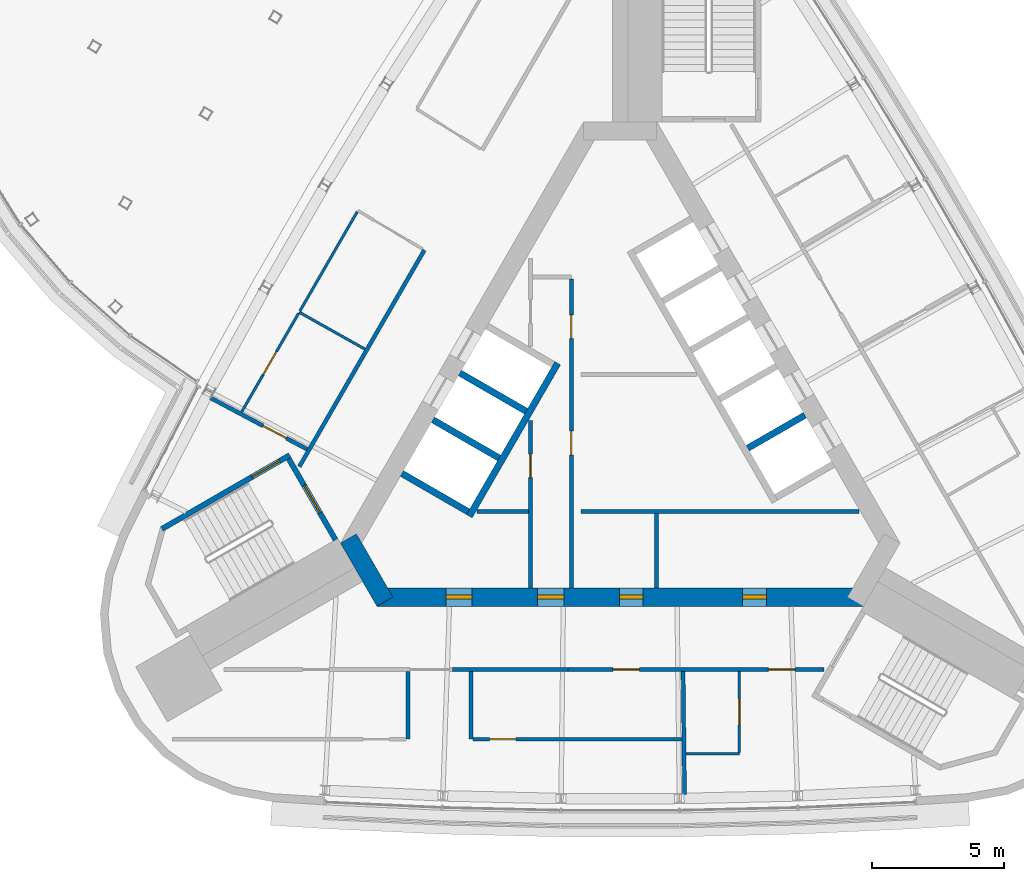
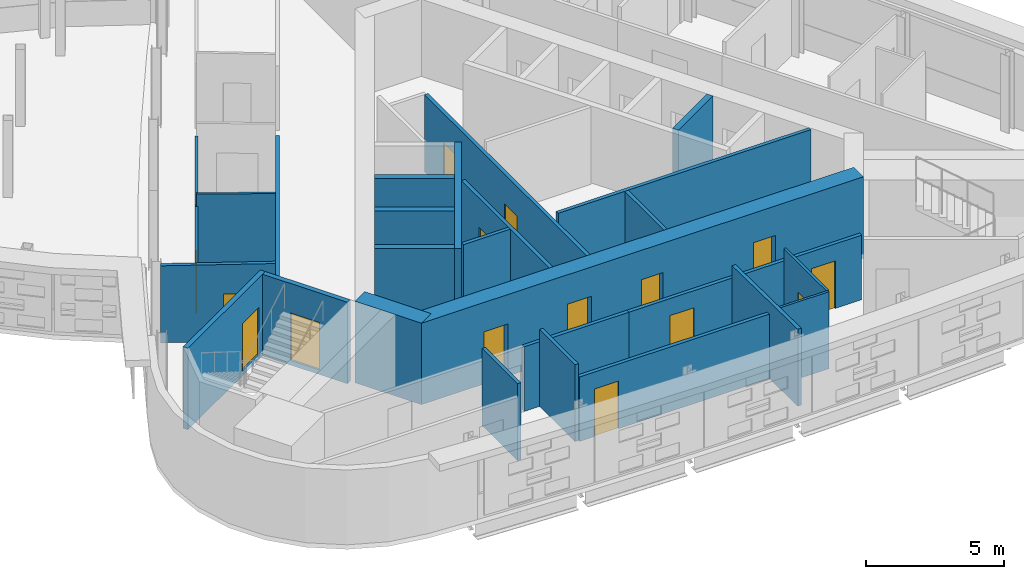
# One storey, part 9 of 13: 27 walls, 15 doors, 15 openings.
"""IFC4 building model written with IfcOpenShell, lengths in metres."""

from ifc_helpers import new_model, si_unit, direction, frame, frame_2d, origin, place, context, subcontext, project, spatial, rectangle, extrude, material, layer, layer_set, type_object, element, fill, save


model = new_model("IFC4")

# Units and contexts
model_context = context("Model", 3, precision=1e-05, world=origin(), true_north=direction((0.0, 1.0)))
body_context = subcontext(model_context, "Body", "Model", "MODEL_VIEW")
ifc_project = project(units=[si_unit("LENGTHUNIT", "METRE"), si_unit("AREAUNIT", "SQUARE_METRE"), si_unit("VOLUMEUNIT", "CUBIC_METRE"), si_unit("PLANEANGLEUNIT", "RADIAN"), si_unit("MASSUNIT", "GRAM", prefix="KILO")], contexts=[model_context])

# Site, building, storey
site_placement = place(None, origin())
site = spatial("IfcSite", under=ifc_project, at=site_placement, CompositionType="ELEMENT")
building_placement = place(site_placement, origin())
building = spatial("IfcBuilding", under=site, at=building_placement, Name="Noor Cloister Tower", CompositionType="ELEMENT")
storey_placement = place(building_placement, frame((0.0, 0.0, 263.39990234375)))
storey = spatial("IfcBuildingStorey", under=building, at=storey_placement, Name="L67", CompositionType="ELEMENT", Elevation=263.39990234375)

# Wall
ifc_material_1 = material(Name="Concrete C30/37", Category="concrete")
ifc_layer_1 = layer(ifc_material_1, 0.14990234375)
ifc_layer_set_1 = layer_set([ifc_layer_1], Name="Core partition 150 C30/37")
wall_type_1 = type_object("IfcWallType", Name="Core partition 150 C30/37", PredefinedType="PARTITIONING", material=ifc_layer_set_1)
wall_1_placement = place(storey_placement, frame((-5.430908203125, -3.328125, 0.0), z_axis=(0.0, 0.0, 1.0), x_axis=(1.0, 0.0, 0.0)))
element("IfcWall", 1, at=wall_1_placement, inside=storey, type_object=wall_type_1, Name="Core room partition L67 1", PredefinedType="PARTITIONING", context=body_context, shape_type="SweptSolid", body=[
    extrude(rectangle(XDim=1.9521484375, YDim=0.14990234375, at=frame_2d((0.97607421875, 0.0))), origin(), (0.0, 0.0, 1.0), 3.400146484375),
])

# Wall, opening, door
wall_2_placement = place(storey_placement, frame((-3.40380859375, 0.131103515625, 0.0), z_axis=(0.0, 0.0, 1.0), x_axis=(0.0, -1.0, 0.0)))
wall_2 = element("IfcWall", 2, at=wall_2_placement, inside=storey, type_object=wall_type_1, Name="Core room partition L67 2", PredefinedType="PARTITIONING", context=body_context, shape_type="SweptSolid", body=[
    extrude(rectangle(XDim=6.359375, YDim=0.14990234375, at=frame_2d((3.1796875, 0.0))), origin(), (0.0, 0.0, 1.0), 3.400146484375),
])
opening_1_placement = place(wall_2_placement, frame((1.280517578125, 0.0, 0.0)))
opening_1 = element("IfcOpeningElement", 3, at=opening_1_placement, cuts=wall_2, Name="Opening L67-905", PredefinedType="OPENING", context=body_context, shape_type="SweptSolid", body=[
    extrude(rectangle(XDim=0.89990234375, YDim=2.10009765625, at=frame_2d((0.449951171875, 1.050048828125))), frame((0.0, 0.0849609375, 0.0), z_axis=(0.0, -1.0, 0.0), x_axis=(1.0, 0.0, 0.0)), (0.0, 0.0, 1.0), 0.169921875),
])
ifc_material_2 = material(Name="Steel", Category="steel")
door_type_1 = type_object("IfcDoorType", Name="Core door 900 x 2100 FD120", OperationType="SINGLE_SWING_LEFT", PredefinedType="DOOR", material=ifc_material_2)
door_1_placement = place(opening_1_placement, origin())
door_1 = element("IfcDoor", 4, at=door_1_placement, inside=storey, type_object=door_type_1, Name="Core door 5 L67", OperationType="SINGLE_SWING_LEFT", OverallHeight=2.10009765625, OverallWidth=0.89990234375, PredefinedType="DOOR", context=body_context, shape_type="SweptSolid", body=[
    extrude(rectangle(XDim=0.89990234375, YDim=2.10009765625, at=frame_2d((0.449951171875, 1.050048828125))), frame((0.0, 0.02490234375, 0.0), z_axis=(0.0, -1.0, 0.0), x_axis=(1.0, 0.0, 0.0)), (0.0, 0.0, 1.0), 0.050048828125),
])
fill(opening_1, door_1)

# Wall, openings, doors
wall_3_placement = place(storey_placement, frame((-1.853759765625, 5.496826171875, 0.0), z_axis=(0.0, 0.0, 1.0), x_axis=(0.0, -1.0, 0.0)))
wall_3 = element("IfcWall", 5, at=wall_3_placement, inside=storey, type_object=wall_type_1, Name="Core room partition L67 5", PredefinedType="PARTITIONING", context=body_context, shape_type="SweptSolid", body=[
    extrude(rectangle(XDim=11.72509765625, YDim=0.14990234375, at=frame_2d((5.862548828125, 0.0))), origin(), (0.0, 0.0, 1.0), 3.400146484375),
])
opening_2_placement = place(wall_3_placement, frame((5.77490234375, 0.0, 0.0)))
opening_2 = element("IfcOpeningElement", 6, at=opening_2_placement, cuts=wall_3, Name="Opening L67-906", PredefinedType="OPENING", context=body_context, shape_type="SweptSolid", body=[
    extrude(rectangle(XDim=0.89990234375, YDim=2.10009765625, at=frame_2d((0.449951171875, 1.050048828125))), frame((0.0, 0.0849609375, 0.0), z_axis=(0.0, -1.0, 0.0), x_axis=(1.0, 0.0, 0.0)), (0.0, 0.0, 1.0), 0.169921875),
])
opening_3_placement = place(wall_3_placement, frame((1.363525390625, 0.0, 0.0)))
opening_3 = element("IfcOpeningElement", 7, at=opening_3_placement, cuts=wall_3, Name="Opening L67-908", PredefinedType="OPENING", context=body_context, shape_type="SweptSolid", body=[
    extrude(rectangle(XDim=0.89990234375, YDim=2.10009765625, at=frame_2d((0.449951171875, 1.050048828125))), frame((0.0, 0.0849609375, 0.0), z_axis=(0.0, -1.0, 0.0), x_axis=(1.0, 0.0, 0.0)), (0.0, 0.0, 1.0), 0.169921875),
])
door_2_placement = place(opening_3_placement, origin())
door_2 = element("IfcDoor", 8, at=door_2_placement, inside=storey, type_object=door_type_1, Name="Core door 8 L67", OperationType="SINGLE_SWING_RIGHT", OverallHeight=2.10009765625, OverallWidth=0.89990234375, PredefinedType="DOOR", context=body_context, shape_type="SweptSolid", body=[
    extrude(rectangle(XDim=0.89990234375, YDim=2.10009765625, at=frame_2d((0.449951171875, 1.050048828125))), frame((0.0, 0.02490234375, 0.0), z_axis=(0.0, -1.0, 0.0), x_axis=(1.0, 0.0, 0.0)), (0.0, 0.0, 1.0), 0.050048828125),
])
fill(opening_3, door_2)
ifc_material_3 = material(Name="Steel", Category="steel")
door_type_2 = type_object("IfcDoorType", Name="Core door 900 x 2100 FD60", OperationType="SINGLE_SWING_LEFT", PredefinedType="DOOR", material=ifc_material_3)
door_3_placement = place(opening_2_placement, origin())
door_3 = element("IfcDoor", 9, at=door_3_placement, inside=storey, type_object=door_type_2, Name="Core door 6 L67", OperationType="SINGLE_SWING_RIGHT", OverallHeight=2.10009765625, OverallWidth=0.89990234375, PredefinedType="DOOR", context=body_context, shape_type="SweptSolid", body=[
    extrude(rectangle(XDim=0.89990234375, YDim=2.10009765625, at=frame_2d((0.449951171875, 1.050048828125))), frame((0.0, 0.02490234375, 0.0), z_axis=(0.0, -1.0, 0.0), x_axis=(1.0, 0.0, 0.0)), (0.0, 0.0, 1.0), 0.050048828125),
])
fill(opening_2, door_3)

# Walls
wall_4_placement = place(storey_placement, frame((-1.478759765625, -3.328125, 0.0), z_axis=(0.0, 0.0, 1.0), x_axis=(1.0, 0.0, 0.0)))
element("IfcWall", 10, at=wall_4_placement, inside=storey, type_object=wall_type_1, Name="Core room partition L67 6", PredefinedType="PARTITIONING", context=body_context, shape_type="SweptSolid", body=[
    extrude(rectangle(XDim=10.546875, YDim=0.14990234375, at=frame_2d((5.2734375, 0.0))), origin(), (0.0, 0.0, 1.0), 3.400146484375),
])
wall_5_placement = place(storey_placement, frame((1.371337890625, -3.4033203125, 0.0), z_axis=(0.0, 0.0, 1.0), x_axis=(0.0, -1.0, 0.0)))
element("IfcWall", 11, at=wall_5_placement, inside=storey, type_object=wall_type_1, Name="Core room partition L67 8", PredefinedType="PARTITIONING", context=body_context, shape_type="SweptSolid", body=[
    extrude(rectangle(XDim=2.824951171875, YDim=0.14990234375, at=frame_2d((1.41259765625, 0.0))), origin(), (0.0, 0.0, 1.0), 3.400146484375),
])

# Wall, openings, doors
ifc_material_4 = material(Name="Concrete C60/75", Category="concrete")
ifc_layer_2 = layer(ifc_material_4, 0.699951171875)
ifc_layer_set_2 = layer_set([ifc_layer_2], Name="Core wall 700 C60/75")
wall_type_2 = type_object("IfcWallType", Name="Core wall 700 C60/75", PredefinedType="SHEAR", material=ifc_layer_set_2)
wall_6_placement = place(storey_placement, frame((-9.228759765625, -6.578125, -0.199951171875), z_axis=(0.0, 0.0, 1.0), x_axis=(1.0, 0.0, 0.0)))
wall_6 = element("IfcWall", 12, at=wall_6_placement, inside=storey, type_object=wall_type_2, Name="Core wall L67 1", PredefinedType="SHEAR", context=body_context, shape_type="SweptSolid", body=[
    extrude(rectangle(XDim=18.45751953125, YDim=0.699951171875, at=frame_2d((9.228759765625, 0.0))), origin(), (0.0, 0.0, 1.0), 3.60009765625),
])
opening_4_placement = place(wall_6_placement, frame((6.10009765625, 0.0, 0.199951171875)))
opening_4 = element("IfcOpeningElement", 13, at=opening_4_placement, cuts=wall_6, Name="Opening L67-901", PredefinedType="OPENING", context=body_context, shape_type="SweptSolid", body=[
    extrude(rectangle(XDim=1.0, YDim=2.10009765625, at=frame_2d((0.5, 1.050048828125))), frame((0.0, 0.35986328125, 0.0), z_axis=(0.0, -1.0, 0.0), x_axis=(1.0, 0.0, 0.0)), (0.0, 0.0, 1.0), 0.719970703125),
])
opening_5_placement = place(wall_6_placement, frame((2.614501953125, 0.0, 0.199951171875)))
opening_5 = element("IfcOpeningElement", 14, at=opening_5_placement, cuts=wall_6, Name="Opening L67-902", PredefinedType="OPENING", context=body_context, shape_type="SweptSolid", body=[
    extrude(rectangle(XDim=1.0, YDim=2.10009765625, at=frame_2d((0.5, 1.050048828125))), frame((0.0, 0.35986328125, 0.0), z_axis=(0.0, -1.0, 0.0), x_axis=(1.0, 0.0, 0.0)), (0.0, 0.0, 1.0), 0.719970703125),
])
opening_6_placement = place(wall_6_placement, frame((9.197509765625, 0.0, 0.199951171875)))
opening_6 = element("IfcOpeningElement", 15, at=opening_6_placement, cuts=wall_6, Name="Opening L67-903", PredefinedType="OPENING", context=body_context, shape_type="SweptSolid", body=[
    extrude(rectangle(XDim=0.89990234375, YDim=2.10009765625, at=frame_2d((0.449951171875, 1.050048828125))), frame((0.0, 0.35986328125, 0.0), z_axis=(0.0, -1.0, 0.0), x_axis=(1.0, 0.0, 0.0)), (0.0, 0.0, 1.0), 0.719970703125),
])
opening_7_placement = place(wall_6_placement, frame((13.876708984375, 0.0, 0.199951171875)))
opening_7 = element("IfcOpeningElement", 16, at=opening_7_placement, cuts=wall_6, Name="Opening L67-904", PredefinedType="OPENING", context=body_context, shape_type="SweptSolid", body=[
    extrude(rectangle(XDim=0.89990234375, YDim=2.10009765625, at=frame_2d((0.449951171875, 1.050048828125))), frame((0.0, 0.35986328125, 0.0), z_axis=(0.0, -1.0, 0.0), x_axis=(1.0, 0.0, 0.0)), (0.0, 0.0, 1.0), 0.719970703125),
])
ifc_material_5 = material(Name="Steel", Category="steel")
door_type_3 = type_object("IfcDoorType", Name="Core door 1000 x 2100 FD120", OperationType="SINGLE_SWING_LEFT", PredefinedType="DOOR", material=ifc_material_5)
door_4_placement = place(opening_4_placement, origin())
door_4 = element("IfcDoor", 17, at=door_4_placement, inside=storey, type_object=door_type_3, Name="Core door 1 L67", OperationType="SINGLE_SWING_LEFT", OverallHeight=2.10009765625, OverallWidth=1.0, PredefinedType="DOOR", context=body_context, shape_type="SweptSolid", body=[
    extrude(rectangle(XDim=1.0, YDim=2.10009765625, at=frame_2d((0.5, 1.050048828125))), frame((0.0, 0.074951171875, 0.0), z_axis=(0.0, -1.0, 0.0), x_axis=(1.0, 0.0, 0.0)), (0.0, 0.0, 1.0), 0.14990234375),
])
fill(opening_4, door_4)
ifc_material_6 = material(Name="Steel", Category="steel")
door_type_4 = type_object("IfcDoorType", Name="Core door 1000 x 2100 FD60", OperationType="SINGLE_SWING_LEFT", PredefinedType="DOOR", material=ifc_material_6)
door_5_placement = place(opening_5_placement, origin())
door_5 = element("IfcDoor", 18, at=door_5_placement, inside=storey, type_object=door_type_4, Name="Core door 2 L67", OperationType="SINGLE_SWING_RIGHT", OverallHeight=2.10009765625, OverallWidth=1.0, PredefinedType="DOOR", context=body_context, shape_type="SweptSolid", body=[
    extrude(rectangle(XDim=1.0, YDim=2.10009765625, at=frame_2d((0.5, 1.050048828125))), frame((0.0, 0.074951171875, 0.0), z_axis=(0.0, -1.0, 0.0), x_axis=(1.0, 0.0, 0.0)), (0.0, 0.0, 1.0), 0.14990234375),
])
fill(opening_5, door_5)
door_6_placement = place(opening_7_placement, origin())
door_6 = element("IfcDoor", 19, at=door_6_placement, inside=storey, type_object=door_type_1, Name="Core door 4 L67", OperationType="SINGLE_SWING_RIGHT", OverallHeight=2.10009765625, OverallWidth=0.89990234375, PredefinedType="DOOR", context=body_context, shape_type="SweptSolid", body=[
    extrude(rectangle(XDim=0.89990234375, YDim=2.10009765625, at=frame_2d((0.449951171875, 1.050048828125))), frame((0.0, 0.074951171875, 0.0), z_axis=(0.0, -1.0, 0.0), x_axis=(1.0, 0.0, 0.0)), (0.0, 0.0, 1.0), 0.14990234375),
])
fill(opening_7, door_6)
door_7_placement = place(opening_6_placement, origin())
door_7 = element("IfcDoor", 20, at=door_7_placement, inside=storey, type_object=door_type_2, Name="Core door 3 L67", OperationType="SINGLE_SWING_LEFT", OverallHeight=2.10009765625, OverallWidth=0.89990234375, PredefinedType="DOOR", context=body_context, shape_type="SweptSolid", body=[
    extrude(rectangle(XDim=0.89990234375, YDim=2.10009765625, at=frame_2d((0.449951171875, 1.050048828125))), frame((0.0, 0.074951171875, 0.0), z_axis=(0.0, -1.0, 0.0), x_axis=(1.0, 0.0, 0.0)), (0.0, 0.0, 1.0), 0.14990234375),
])
fill(opening_6, door_7)

# Walls
wall_7_placement = place(storey_placement, frame((-10.311279296875, -4.353271484375, -0.199951171875), z_axis=(0.0, 0.0, 1.0), x_axis=(0.500042739161, -0.866000726912, 0.0)))
element("IfcWall", 21, at=wall_7_placement, inside=storey, type_object=wall_type_2, Name="Core wall L67 6", PredefinedType="SHEAR", context=body_context, shape_type="SweptSolid", body=[
    extrude(rectangle(XDim=2.771240234375, YDim=0.699951171875, at=frame_2d((1.3857421875, 0.0))), origin(), (0.0, 0.0, 1.0), 3.60009765625),
])
ifc_material_7 = material(Name="Fire-rated gypsum board partition on steel studs, 150 mm", Category="steel")
ifc_layer_3 = layer(ifc_material_7, 0.14990234375)
ifc_layer_set_3 = layer_set([ifc_layer_3], Name="Fire lobby wall 150")
wall_type_3 = type_object("IfcWallType", Name="Fire lobby wall 150", PredefinedType="PARTITIONING", material=ifc_layer_set_3)
wall_8_placement = place(storey_placement, frame((-7.42919921875, 6.588623046875, 0.0), z_axis=(0.0, 0.0, 1.0), x_axis=(-0.499994197604, -0.866028753773, 0.0)))
element("IfcWall", 22, at=wall_8_placement, inside=storey, type_object=wall_type_3, Name="Wall L67-W22", PredefinedType="PARTITIONING", context=body_context, shape_type="SweptSolid", body=[
    extrude(rectangle(XDim=9.48779296875, YDim=0.14990234375, at=frame_2d((4.743896484375, 0.0))), origin(), (0.0, 0.0, 1.0), 2.85205078125),
])

# Wall, openings, doors
ifc_material_8 = material(Name="Gypsum board partition on steel studs, 150 mm", Category="steel")
ifc_layer_4 = layer(ifc_material_8, 0.14990234375)
ifc_layer_set_4 = layer_set([ifc_layer_4], Name="Flat wall 150")
wall_type_4 = type_object("IfcWallType", Name="Flat wall 150", PredefinedType="PARTITIONING", material=ifc_layer_set_4)
wall_9_placement = place(storey_placement, frame((-1.98681640625, -9.328125, 0.0), z_axis=(0.0, 0.0, 1.0), x_axis=(1.0, 0.0, 0.0)))
wall_9 = element("IfcWall", 23, at=wall_9_placement, inside=storey, type_object=wall_type_4, Name="Wall L67-W12", PredefinedType="PARTITIONING", context=body_context, shape_type="SweptSolid", body=[
    extrude(rectangle(XDim=9.71435546875, YDim=0.14990234375, at=frame_2d((4.857177734375, 0.0))), origin(), (0.0, 0.0, 1.0), 2.85205078125),
])
opening_8_placement = place(wall_9_placement, frame((1.7119140625, 0.0, 0.0)))
opening_8 = element("IfcOpeningElement", 24, at=opening_8_placement, cuts=wall_9, Name="Opening L67-011", PredefinedType="OPENING", context=body_context, shape_type="SweptSolid", body=[
    extrude(rectangle(XDim=1.0, YDim=2.10009765625, at=frame_2d((0.5, 1.050048828125))), frame((0.0, 0.0849609375, 0.0), z_axis=(0.0, -1.0, 0.0), x_axis=(1.0, 0.0, 0.0)), (0.0, 0.0, 1.0), 0.169921875),
])
opening_9_placement = place(wall_9_placement, frame((7.612548828125, 0.0, 0.0)))
opening_9 = element("IfcOpeningElement", 25, at=opening_9_placement, cuts=wall_9, Name="Opening L67-013", PredefinedType="OPENING", context=body_context, shape_type="SweptSolid", body=[
    extrude(rectangle(XDim=1.0, YDim=2.10009765625, at=frame_2d((0.5, 1.050048828125))), frame((0.0, 0.0849609375, 0.0), z_axis=(0.0, -1.0, 0.0), x_axis=(1.0, 0.0, 0.0)), (0.0, 0.0, 1.0), 0.169921875),
])
ifc_material_9 = material(Name="Timber door leaf with steel frame", Category="steel")
door_type_5 = type_object("IfcDoorType", Name="Flat entrance door 1000", OperationType="NOTDEFINED", PredefinedType="DOOR", material=ifc_material_9)
door_8_placement = place(opening_9_placement, origin())
door_8 = element("IfcDoor", 26, at=door_8_placement, inside=storey, type_object=door_type_5, Name="Door L67-013", OperationType="SINGLE_SWING_LEFT", OverallHeight=2.10009765625, OverallWidth=1.0, PredefinedType="DOOR", context=body_context, shape_type="SweptSolid", body=[
    extrude(rectangle(XDim=1.0, YDim=2.10009765625, at=frame_2d((0.5, 1.050048828125))), frame((0.0, 0.02490234375, 0.0), z_axis=(0.0, -1.0, 0.0), x_axis=(1.0, 0.0, 0.0)), (0.0, 0.0, 1.0), 0.050048828125),
])
fill(opening_9, door_8)
ifc_material_10 = material(Name="Timber door leaf with steel frame", Category="steel")
door_type_6 = type_object("IfcDoorType", Name="Interior door 1000 FD60", OperationType="NOTDEFINED", PredefinedType="DOOR", material=ifc_material_10)
door_9_placement = place(opening_8_placement, origin())
door_9 = element("IfcDoor", 27, at=door_9_placement, inside=storey, type_object=door_type_6, Name="Door L67-011", OperationType="SINGLE_SWING_LEFT", OverallHeight=2.10009765625, OverallWidth=1.0, PredefinedType="DOOR", context=body_context, shape_type="SweptSolid", body=[
    extrude(rectangle(XDim=1.0, YDim=2.10009765625, at=frame_2d((0.5, 1.050048828125))), frame((0.0, 0.02490234375, 0.0), z_axis=(0.0, -1.0, 0.0), x_axis=(1.0, 0.0, 0.0)), (0.0, 0.0, 1.0), 0.050048828125),
])
fill(opening_8, door_9)

# Walls
wall_10_placement = place(storey_placement, frame((-6.362548828125, -9.328125, 0.0), z_axis=(0.0, 0.0, 1.0), x_axis=(1.0, 0.0, 0.0)))
element("IfcWall", 28, at=wall_10_placement, inside=storey, type_object=wall_type_4, Name="Wall L67-W13", PredefinedType="PARTITIONING", context=body_context, shape_type="SweptSolid", body=[
    extrude(rectangle(XDim=4.375732421875, YDim=0.14990234375, at=frame_2d((2.18798828125, 0.0))), origin(), (0.0, 0.0, 1.0), 2.85205078125),
])
wall_11_placement = place(storey_placement, frame((2.44189453125, -14.06884765625, 0.0), z_axis=(0.0, 0.0, 1.0), x_axis=(-0.011616170678, 0.999932530013, 0.0)))
element("IfcWall", 29, at=wall_11_placement, inside=storey, type_object=wall_type_4, Name="Wall L67-W14", PredefinedType="PARTITIONING", context=body_context, shape_type="SweptSolid", body=[
    extrude(rectangle(XDim=4.665771484375, YDim=0.14990234375, at=frame_2d((2.3330078125, 0.0))), origin(), (0.0, 0.0, 1.0), 3.400146484375),
])
for number, where, z_axis, x_axis, name in (
    (30, (-8.054931640625, -9.4033203125, 0.0), (0.0, 0.0, 1.0), (0.0, -1.0, 0.0), "Wall L67-W15"),
    (31, (-5.65478515625, -9.4033203125, 0.0), (0.0, 0.0, 1.0), (0.0, -1.0, 0.0), "Wall L67-W16"),
):
    element("IfcWall", number, at=place(storey_placement, frame(where, z_axis=z_axis, x_axis=x_axis)), inside=storey, type_object=wall_type_4, Name=name, PredefinedType="PARTITIONING", context=body_context, shape_type="SweptSolid", body=[
        extrude(rectangle(XDim=2.56884765625, YDim=0.14990234375, at=frame_2d((1.284423828125, 0.0))), origin(), (0.0, 0.0, 1.0), 3.400146484375),
    ])

# Wall, opening, door
wall_12_placement = place(storey_placement, frame((-5.579833984375, -11.97216796875, 0.0), z_axis=(0.0, 0.0, 1.0), x_axis=(1.0, 0.0, 0.0)))
wall_12 = element("IfcWall", 32, at=wall_12_placement, inside=storey, type_object=wall_type_4, Name="Wall L67-W18", PredefinedType="PARTITIONING", context=body_context, shape_type="SweptSolid", body=[
    extrude(rectangle(XDim=7.92236328125, YDim=0.14990234375, at=frame_2d((3.961181640625, 0.0))), origin(), (0.0, 0.0, 1.0), 2.85205078125),
])
opening_10_placement = place(wall_12_placement, frame((0.625, 0.0, 0.0)))
opening_10 = element("IfcOpeningElement", 33, at=opening_10_placement, cuts=wall_12, Name="Opening L67-010", PredefinedType="OPENING", context=body_context, shape_type="SweptSolid", body=[
    extrude(rectangle(XDim=1.0, YDim=2.10009765625, at=frame_2d((0.5, 1.050048828125))), frame((0.0, 0.0849609375, 0.0), z_axis=(0.0, -1.0, 0.0), x_axis=(1.0, 0.0, 0.0)), (0.0, 0.0, 1.0), 0.169921875),
])
door_10_placement = place(opening_10_placement, origin())
door_10 = element("IfcDoor", 34, at=door_10_placement, inside=storey, type_object=door_type_6, Name="Door L67-010", OperationType="SINGLE_SWING_RIGHT", OverallHeight=2.10009765625, OverallWidth=1.0, PredefinedType="DOOR", context=body_context, shape_type="SweptSolid", body=[
    extrude(rectangle(XDim=1.0, YDim=2.10009765625, at=frame_2d((0.5, 1.050048828125))), frame((0.0, 0.02490234375, 0.0), z_axis=(0.0, -1.0, 0.0), x_axis=(1.0, 0.0, 0.0)), (0.0, 0.0, 1.0), 0.050048828125),
])
fill(opening_10, door_10)

wall_13_placement = place(storey_placement, frame((-15.552001953125, 0.983642578125, 0.0), z_axis=(0.0, 0.0, 1.0), x_axis=(0.882898276856, -0.469564300947, 0.0)))
wall_13 = element("IfcWall", 35, at=wall_13_placement, inside=storey, type_object=wall_type_4, Name="Wall L67-W23", PredefinedType="PARTITIONING", context=body_context, shape_type="SweptSolid", body=[
    extrude(rectangle(XDim=4.159423828125, YDim=0.14990234375, at=frame_2d((2.07958984375, 0.0))), origin(), (0.0, 0.0, 1.0), 3.400146484375),
])
opening_11_placement = place(wall_13_placement, frame((2.2666015625, 0.0, 0.0)))
opening_11 = element("IfcOpeningElement", 36, at=opening_11_placement, cuts=wall_13, Name="Opening L67-017", PredefinedType="OPENING", context=body_context, shape_type="SweptSolid", body=[
    extrude(rectangle(XDim=1.0, YDim=2.10009765625, at=frame_2d((0.5, 1.050048828125))), frame((0.0, 0.0849609375, 0.0), z_axis=(0.0, -1.0, 0.0), x_axis=(1.0, 0.0, 0.0)), (0.0, 0.0, 1.0), 0.169921875),
])
door_11_placement = place(opening_11_placement, origin())
door_11 = element("IfcDoor", 37, at=door_11_placement, inside=storey, type_object=door_type_6, Name="Door L67-017", OperationType="SINGLE_SWING_LEFT", OverallHeight=2.10009765625, OverallWidth=1.0, PredefinedType="DOOR", context=body_context, shape_type="SweptSolid", body=[
    extrude(rectangle(XDim=1.0, YDim=2.10009765625, at=frame_2d((0.5, 1.050048828125))), frame((0.0, 0.02490234375, 0.0), z_axis=(0.0, -1.0, 0.0), x_axis=(1.0, 0.0, 0.0)), (0.0, 0.0, 1.0), 0.050048828125),
])
fill(opening_11, door_11)

# Wall
ifc_material_11 = material(Name="Gypsum board partition on steel studs, 100 mm", Category="steel")
ifc_layer_5 = layer(ifc_material_11, 0.10009765625)
ifc_layer_set_5 = layer_set([ifc_layer_5], Name="Partition 100")
wall_type_5 = type_object("IfcWallType", Name="Partition 100", PredefinedType="PARTITIONING", material=ifc_layer_set_5)
wall_14_placement = place(storey_placement, frame((2.4990234375, -12.5283203125, 0.0), z_axis=(0.0, 0.0, 1.0), x_axis=(1.0, 0.0, 0.0)))
element("IfcWall", 38, at=wall_14_placement, inside=storey, type_object=wall_type_5, Name="Wall L67-W19", PredefinedType="PARTITIONING", context=body_context, shape_type="SweptSolid", body=[
    extrude(rectangle(XDim=2.02490234375, YDim=0.10009765625, at=frame_2d((1.012451171875, 0.0))), origin(), (0.0, 0.0, 1.0), 3.400146484375),
])

# Wall, opening, door
wall_15_placement = place(storey_placement, frame((4.52392578125, -12.478271484375, 0.0), z_axis=(0.0, 0.0, 1.0), x_axis=(0.0, 1.0, 0.0)))
wall_15 = element("IfcWall", 39, at=wall_15_placement, inside=storey, type_object=wall_type_5, Name="Wall L67-W20", PredefinedType="PARTITIONING", context=body_context, shape_type="SweptSolid", body=[
    extrude(rectangle(XDim=3.074951171875, YDim=0.10009765625, at=frame_2d((1.53759765625, 0.0))), origin(), (0.0, 0.0, 1.0), 3.400146484375),
])
opening_12_placement = place(wall_15_placement, frame((1.050048828125, 0.0, 0.0)))
opening_12 = element("IfcOpeningElement", 40, at=opening_12_placement, cuts=wall_15, Name="Opening L67-012", PredefinedType="OPENING", context=body_context, shape_type="SweptSolid", body=[
    extrude(rectangle(XDim=1.0, YDim=2.10009765625, at=frame_2d((0.5, 1.050048828125))), frame((0.0, 0.06005859375, 0.0), z_axis=(0.0, -1.0, 0.0), x_axis=(1.0, 0.0, 0.0)), (0.0, 0.0, 1.0), 0.1201171875),
])
ifc_material_12 = material(Name="Timber door leaf with steel frame", Category="steel")
door_type_7 = type_object("IfcDoorType", Name="Interior door 1000", OperationType="NOTDEFINED", PredefinedType="DOOR", material=ifc_material_12)
door_12_placement = place(opening_12_placement, origin())
door_12 = element("IfcDoor", 41, at=door_12_placement, inside=storey, type_object=door_type_7, Name="Door L67-012", OperationType="SINGLE_SWING_RIGHT", OverallHeight=2.10009765625, OverallWidth=1.0, PredefinedType="DOOR", context=body_context, shape_type="SweptSolid", body=[
    extrude(rectangle(XDim=1.0, YDim=2.10009765625, at=frame_2d((0.5, 1.050048828125))), frame((0.0, 0.02490234375, 0.0), z_axis=(0.0, -1.0, 0.0), x_axis=(1.0, 0.0, 0.0)), (0.0, 0.0, 1.0), 0.050048828125),
])
fill(opening_12, door_12)

# Walls
wall_16_placement = place(storey_placement, frame((-9.68603515625, 2.829833984375, 0.0), z_axis=(0.0, 0.0, 1.0), x_axis=(-0.871778429479, 0.489900367315, 0.0)))
element("IfcWall", 42, at=wall_16_placement, inside=storey, type_object=wall_type_5, Name="Wall L67-W26", PredefinedType="PARTITIONING", context=body_context, shape_type="SweptSolid", body=[
    extrude(rectangle(XDim=2.859130859375, YDim=0.10009765625, at=frame_2d((1.4296875, 0.0))), origin(), (0.0, 0.0, 1.0), 3.400146484375),
])
wall_17_placement = place(storey_placement, frame((-9.97802734375, 8.0419921875, 0.0), z_axis=(0.0, 0.0, 1.0), x_axis=(-0.500007404367, -0.866021128829, 0.0)))
element("IfcWall", 43, at=wall_17_placement, inside=storey, type_object=wall_type_5, Name="Wall L67-W28", PredefinedType="PARTITIONING", context=body_context, shape_type="SweptSolid", body=[
    extrude(rectangle(XDim=4.35107421875, YDim=0.10009765625, at=frame_2d((2.175537109375, 0.0))), origin(), (0.0, 0.0, 1.0), 2.85205078125),
])

# Wall, opening, door
wall_18_placement = place(storey_placement, frame((-12.20361328125, 4.187255859375, 0.0), z_axis=(0.0, 0.0, 1.0), x_axis=(-0.499973093216, -0.866040937866, 0.0)))
wall_18 = element("IfcWall", 44, at=wall_18_placement, inside=storey, type_object=wall_type_5, Name="Wall L67-W29", PredefinedType="PARTITIONING", context=body_context, shape_type="SweptSolid", body=[
    extrude(rectangle(XDim=4.328369140625, YDim=0.10009765625, at=frame_2d((2.1640625, 0.0))), origin(), (0.0, 0.0, 1.0), 2.85205078125),
])
opening_13_placement = place(wall_18_placement, frame((1.6767578125, 0.0, 0.0)))
opening_13 = element("IfcOpeningElement", 45, at=opening_13_placement, cuts=wall_18, Name="Opening L67-016", PredefinedType="OPENING", context=body_context, shape_type="SweptSolid", body=[
    extrude(rectangle(XDim=1.0, YDim=2.10009765625, at=frame_2d((0.5, 1.050048828125))), frame((0.0, 0.06005859375, 0.0), z_axis=(0.0, -1.0, 0.0), x_axis=(1.0, 0.0, 0.0)), (0.0, 0.0, 1.0), 0.1201171875),
])
door_13_placement = place(opening_13_placement, origin())
door_13 = element("IfcDoor", 46, at=door_13_placement, inside=storey, type_object=door_type_7, Name="Door L67-016", OperationType="SINGLE_SWING_RIGHT", OverallHeight=2.10009765625, OverallWidth=1.0, PredefinedType="DOOR", context=body_context, shape_type="SweptSolid", body=[
    extrude(rectangle(XDim=1.0, YDim=2.10009765625, at=frame_2d((0.5, 1.050048828125))), frame((0.0, 0.02490234375, 0.0), z_axis=(0.0, -1.0, 0.0), x_axis=(1.0, 0.0, 0.0)), (0.0, 0.0, 1.0), 0.050048828125),
])
fill(opening_13, door_13)

# Walls
ifc_material_13 = material(Name="Concrete C60/75", Category="concrete")
ifc_layer_6 = layer(ifc_material_13, 0.25)
ifc_layer_set_6 = layer_set([ifc_layer_6], Name="Shaft wall 250 C60/75")
wall_type_6 = type_object("IfcWallType", Name="Shaft wall 250 C60/75", PredefinedType="PARTITIONING", material=ifc_layer_set_6)
wall_19_placement = place(storey_placement, frame((7.00634765625, 0.3212890625, -0.199951171875), z_axis=(0.0, 0.0, 1.0), x_axis=(-0.866022959057, -0.500004234368, 0.0)))
element("IfcWall", 47, at=wall_19_placement, inside=storey, type_object=wall_type_6, Name="Lift shaft wall L67 NE 2", PredefinedType="PARTITIONING", context=body_context, shape_type="SweptSolid", body=[
    extrude(rectangle(XDim=2.5, YDim=0.25, at=frame_2d((1.25, 0.0))), origin(), (0.0, 0.0, 1.0), 3.60009765625),
])
for number, where, z_axis, x_axis, name in (
    (48, (-6.081298828125, 1.92333984375, -0.199951171875), (0.0, 0.0, 1.0), (0.866032775405, -0.499987231761, 0.0), "Lift shaft wall L67 NW 4"),
    (49, (-7.106201171875, 0.14794921875, -0.199951171875), (0.0, 0.0, 1.0), (0.866032775405, -0.499987231761, 0.0), "Lift shaft wall L67 NW 5"),
    (50, (-8.28125, -1.88720703125, -0.199951171875), (0.0, 0.0, 1.0), (0.866032775405, -0.499987231761, 0.0), "Lift shaft wall L67 NW 6"),
):
    element("IfcWall", number, at=place(storey_placement, frame(where, z_axis=z_axis, x_axis=x_axis)), inside=storey, type_object=wall_type_6, Name=name, PredefinedType="PARTITIONING", context=body_context, shape_type="SweptSolid", body=[
        extrude(rectangle(XDim=2.89990234375, YDim=0.25, at=frame_2d((1.449951171875, 0.0))), origin(), (0.0, 0.0, 1.0), 3.60009765625),
    ])
wall_20_placement = place(storey_placement, frame((-2.3740234375, 2.29443359375, 0.0), z_axis=(0.0, 0.0, 1.0), x_axis=(-0.500003174267, -0.866023571113, 0.0)))
element("IfcWall", 51, at=wall_20_placement, inside=storey, type_object=wall_type_6, Name="Lift shaft back wall L67 NW", PredefinedType="PARTITIONING", context=body_context, shape_type="SweptSolid", body=[
    extrude(rectangle(XDim=6.7001953125, YDim=0.25, at=frame_2d((3.35009765625, 0.0))), origin(), (0.0, 0.0, 1.0), 3.400146484375),
])

# Wall, opening, door
ifc_material_14 = material(Name="Concrete C60/75", Category="concrete")
ifc_layer_7 = layer(ifc_material_14, 0.199951171875)
ifc_layer_set_7 = layer_set([ifc_layer_7], Name="Stair enclosure wall 200 C60/75")
wall_type_7 = type_object("IfcWallType", Name="Stair enclosure wall 200 C60/75", PredefinedType="SHEAR", material=ifc_layer_set_7)
wall_21_placement = place(storey_placement, frame((-12.575927734375, -1.33056640625, -0.199951171875), z_axis=(0.0, 0.0, 1.0), x_axis=(0.499970499736, -0.8660424351, 0.0)))
wall_21 = element("IfcWall", 52, at=wall_21_placement, inside=storey, type_object=wall_type_7, Name="Stair enclosure wall ST2 L67 near end", PredefinedType="SHEAR", context=body_context, shape_type="SweptSolid", body=[
    extrude(rectangle(XDim=3.550048828125, YDim=0.199951171875, at=frame_2d((1.77490234375, 0.0))), origin(), (0.0, 0.0, 1.0), 3.60009765625),
])
opening_14_placement = place(wall_21_placement, frame((1.175048828125, 0.0, 0.199951171875)))
opening_14 = element("IfcOpeningElement", 53, at=opening_14_placement, cuts=wall_21, Name="Opening L67-ST2L", PredefinedType="OPENING", context=body_context, shape_type="SweptSolid", body=[
    extrude(rectangle(XDim=1.199951171875, YDim=2.10009765625, at=frame_2d((0.60009765625, 1.050048828125))), frame((0.0, 0.10986328125, 0.0), z_axis=(0.0, -1.0, 0.0), x_axis=(1.0, 0.0, 0.0)), (0.0, 0.0, 1.0), 0.219970703125),
])
ifc_material_15 = material(Name="Steel", Category="steel")
door_type_8 = type_object("IfcDoorType", Name="Stair door 1200 x 2100 FD120", OperationType="SINGLE_SWING_LEFT", PredefinedType="DOOR", material=ifc_material_15)
door_14_placement = place(opening_14_placement, origin())
door_14 = element("IfcDoor", 54, at=door_14_placement, inside=storey, type_object=door_type_8, Name="Stair door ST2 L67", OperationType="SINGLE_SWING_RIGHT", OverallHeight=2.10009765625, OverallWidth=1.199951171875, PredefinedType="DOOR", context=body_context, shape_type="SweptSolid", body=[
    extrude(rectangle(XDim=1.199951171875, YDim=2.10009765625, at=frame_2d((0.60009765625, 1.050048828125))), frame((0.0, 0.02490234375, 0.0), z_axis=(0.0, -1.0, 0.0), x_axis=(1.0, 0.0, 0.0)), (0.0, 0.0, 1.0), 0.050048828125),
])
fill(opening_14, door_14)

wall_22_placement = place(storey_placement, frame((-12.539306640625, -1.194091796875, -0.199951171875), z_axis=(0.0, 0.0, 1.0), x_axis=(-0.866045472092, -0.499965239061, 0.0)))
wall_22 = element("IfcWall", 55, at=wall_22_placement, inside=storey, type_object=wall_type_7, Name="Stair enclosure wall ST2 L67 outer side", PredefinedType="SHEAR", context=body_context, shape_type="SweptSolid", body=[
    extrude(rectangle(XDim=5.60009765625, YDim=0.199951171875, at=frame_2d((2.800048828125, 0.0))), origin(), (0.0, 0.0, 1.0), 3.60009765625),
])
opening_15_placement = place(wall_22_placement, frame((0.449951171875, 0.0, 0.199951171875)))
opening_15 = element("IfcOpeningElement", 56, at=opening_15_placement, cuts=wall_22, Name="Opening L67-ST2C", PredefinedType="OPENING", context=body_context, shape_type="SweptSolid", body=[
    extrude(rectangle(XDim=1.199951171875, YDim=2.10009765625, at=frame_2d((0.60009765625, 1.050048828125))), frame((0.0, 0.10986328125, 0.0), z_axis=(0.0, -1.0, 0.0), x_axis=(1.0, 0.0, 0.0)), (0.0, 0.0, 1.0), 0.219970703125),
])
door_15_placement = place(opening_15_placement, origin())
door_15 = element("IfcDoor", 57, at=door_15_placement, inside=storey, type_object=door_type_8, Name="Stair door ST2 L67", OperationType="SINGLE_SWING_LEFT", OverallHeight=2.10009765625, OverallWidth=1.199951171875, PredefinedType="DOOR", context=body_context, shape_type="SweptSolid", body=[
    extrude(rectangle(XDim=1.199951171875, YDim=2.10009765625, at=frame_2d((0.60009765625, 1.050048828125))), frame((0.0, 0.02490234375, 0.0), z_axis=(0.0, -1.0, 0.0), x_axis=(1.0, 0.0, 0.0)), (0.0, 0.0, 1.0), 0.050048828125),
])
fill(opening_15, door_15)

save(model, "model.ifc")
